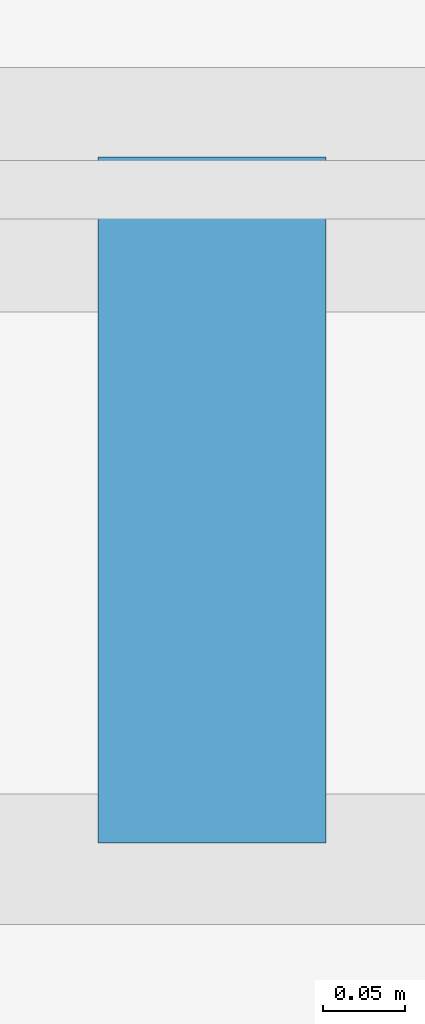
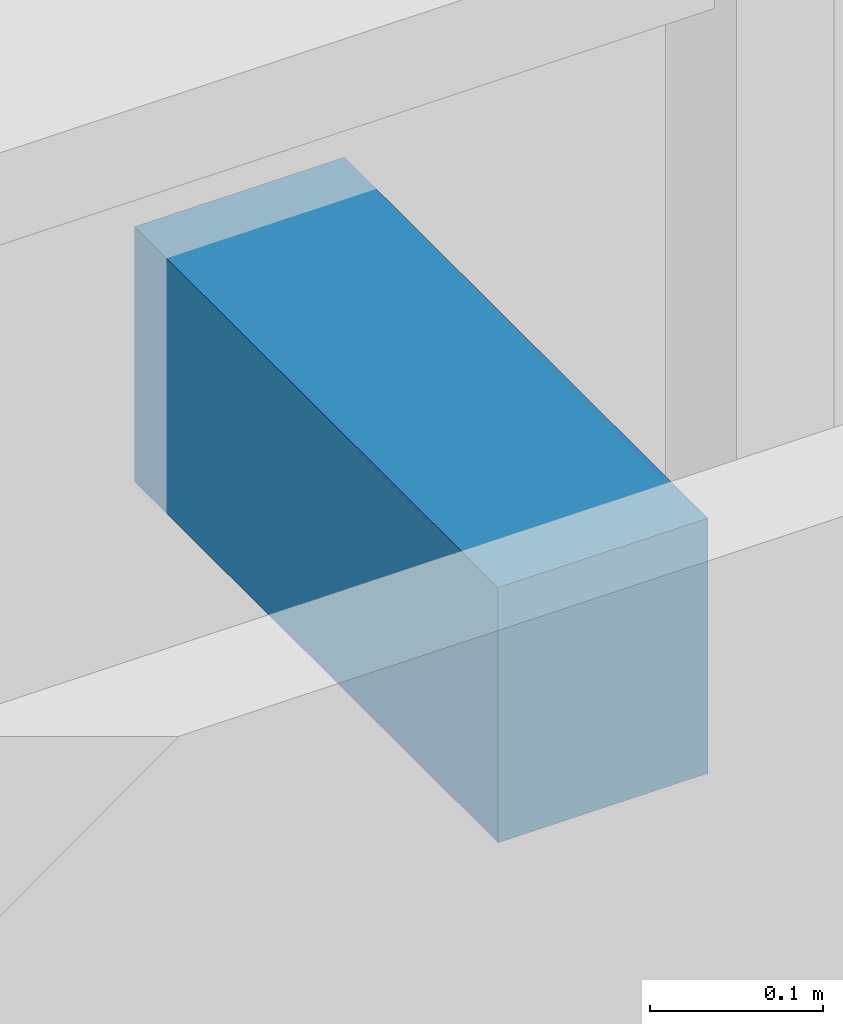
# One storey, part 79 of 105: 1 discrete accessory.
"""IFC4 building model written with IfcOpenShell, lengths in metres."""

from ifc_helpers import new_model, si_unit, direction, frame, origin, origin_2d, place, context, subcontext, project, spatial, rectangle, extrude, material, type_object, element, save


model = new_model("IFC4")

# Units and contexts
model_context = context("Model", 3, precision=1e-05, world=origin(), true_north=direction((0.0, 1.0)))
body_context = subcontext(model_context, "Body", "Model", "MODEL_VIEW")
ifc_project = project(units=[si_unit("LENGTHUNIT", "METRE"), si_unit("AREAUNIT", "SQUARE_METRE"), si_unit("VOLUMEUNIT", "CUBIC_METRE"), si_unit("PLANEANGLEUNIT", "RADIAN"), si_unit("MASSUNIT", "GRAM", prefix="KILO")], contexts=[model_context])

# Site, building, storey
site_placement = place(None, origin())
site = spatial("IfcSite", under=ifc_project, at=site_placement, CompositionType="ELEMENT")
building_placement = place(site_placement, origin())
building = spatial("IfcBuilding", under=site, at=building_placement, Name="Mirzam Square Science Centre", CompositionType="ELEMENT")
storey_placement = place(building_placement, frame((0.0, 0.0, 5.39990234375)))
storey = spatial("IfcBuildingStorey", under=building, at=storey_placement, Name="L01", CompositionType="ELEMENT", Elevation=5.39990234375)

# Discrete accessory
ifc_material = material(Name="Steel S355", Category="steel")
discrete_accessory_type = type_object("IfcDiscreteAccessoryType", Name="BRK-BRISE-STEEL", PredefinedType="BRACKET", material=ifc_material)
discrete_accessory_placement = place(storey_placement, frame((127.23291015625, 41.81005859375, 4.10009765625), z_axis=(0.0, 0.0, 1.0), x_axis=(1.0, 0.0, 0.0)))
element("IfcDiscreteAccessory", 1, at=discrete_accessory_placement, inside=storey, type_object=discrete_accessory_type, Name="L01 brise-soleil support bracket 72", PredefinedType="BRACKET", context=body_context, shape_type="SweptSolid", body=[
    extrude(rectangle(XDim=0.139892578125, YDim=0.419921875, at=origin_2d()), origin(), (0.0, 0.0, 1.0), 0.179931640625),
])

save(model, "model.ifc")
